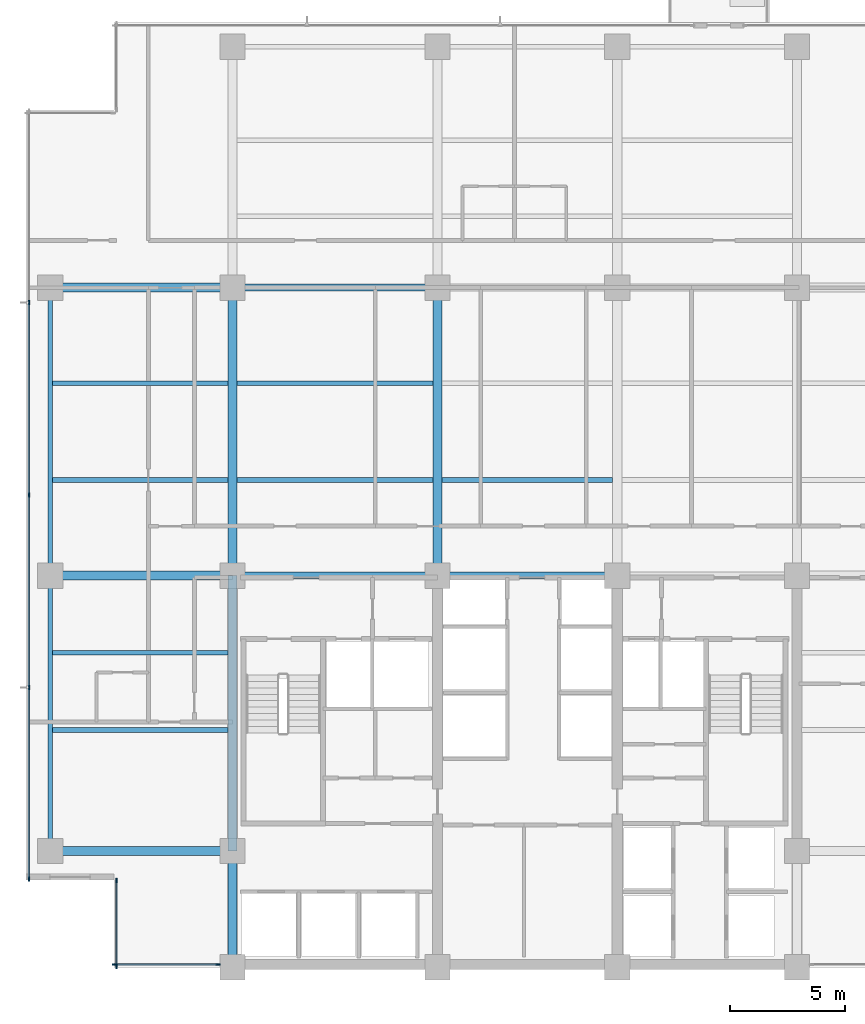
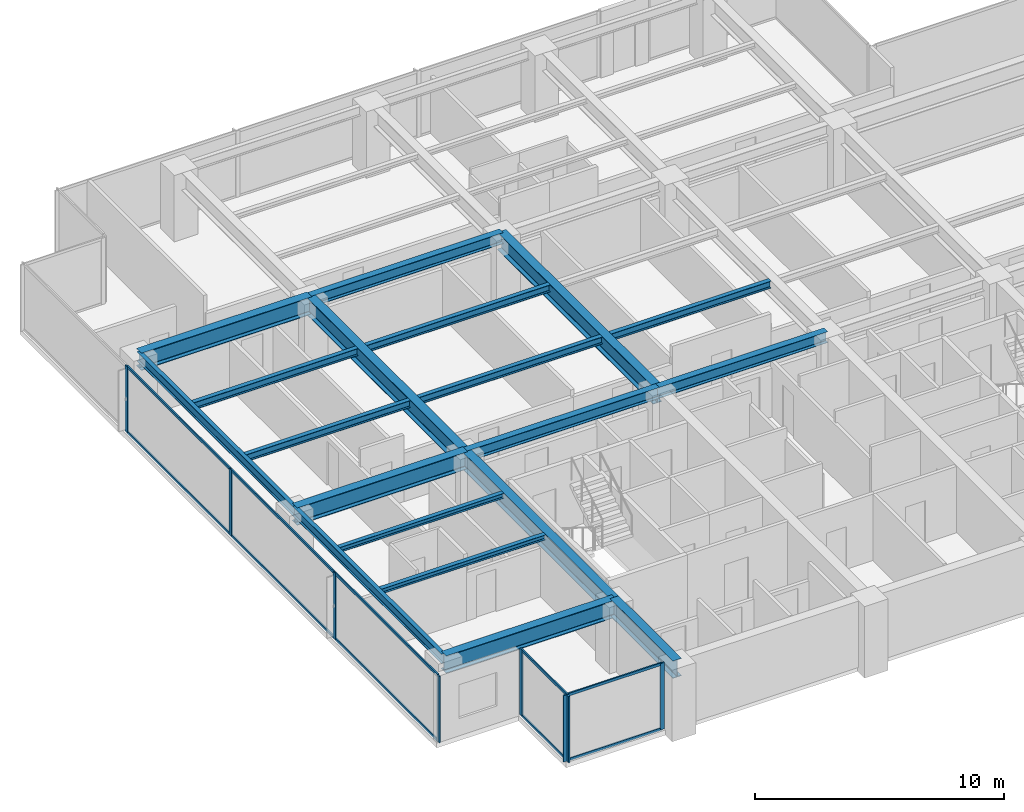
# One storey, part 2 of 15: 19 beams, 18 members, 3 elements without a shape of their own.
"""IFC4 building model written with IfcOpenShell, lengths in metres."""

from ifc_helpers import new_model, si_unit, direction, frame, origin, origin_2d, place, context, subcontext, project, spatial, rectangle, i_section, extrude, material, layer, layer_set, material_profile, profile_set, type_object, element, aggregate, save


model = new_model("IFC4")

# Units and contexts
model_context = context("Model", 3, precision=1e-05, world=origin(), true_north=direction((0.0, 1.0)))
body_context = subcontext(model_context, "Body", "Model", "MODEL_VIEW")
ifc_project = project(units=[si_unit("LENGTHUNIT", "METRE"), si_unit("AREAUNIT", "SQUARE_METRE"), si_unit("VOLUMEUNIT", "CUBIC_METRE"), si_unit("PLANEANGLEUNIT", "RADIAN"), si_unit("MASSUNIT", "GRAM", prefix="KILO")], contexts=[model_context])

# Site, building, storey
site_placement = place(None, origin())
site = spatial("IfcSite", under=ifc_project, at=site_placement, CompositionType="ELEMENT")
building_placement = place(site_placement, origin())
building = spatial("IfcBuilding", under=site, at=building_placement, Name="Qalmaran Belvedere Hotel", CompositionType="ELEMENT")
storey_placement = place(building_placement, frame((0.0, 0.0, 149.10009765625)))
storey = spatial("IfcBuildingStorey", under=building, at=storey_placement, Name="L37", CompositionType="ELEMENT", Elevation=149.10009765625)

# Beams
ifc_material_1 = material(Name="Steel S355JR", Category="steel")
ifc_material_profile_1 = material_profile(ifc_material_1, i_section(OverallWidth=0.201904296875, OverallDepth=0.2470703125, WebThickness=0.00732421875, FlangeThickness=0.010986328125, FilletRadius=0.011962890625, at=origin_2d()), Name="W250X49")
ifc_profile_set_1 = profile_set([ifc_material_profile_1], Name="Steel S355JR")
beam_type_1 = type_object("IfcBeamType", Name="BM-JST-W250X49", PredefinedType="JOIST", material=ifc_profile_set_1)
for number, where, z_axis, x_axis, name in (
    (1, (12.493896484375, 13.800048828125, 3.12646484375), (1.0, 0.0, 0.0), (0.0, 1.0, 0.0), "L37 West Wing Joist 038"),
    (2, (12.493896484375, 17.14990234375, 3.12646484375), (1.0, 0.0, 0.0), (0.0, 1.0, 0.0), "L37 West Wing Joist 040"),
):
    element("IfcBeam", number, at=place(storey_placement, frame(where, z_axis=z_axis, x_axis=x_axis)), inside=storey, type_object=beam_type_1, Name=name, PredefinedType="JOIST", context=body_context, shape_type="SweptSolid", body=[
        extrude(i_section(OverallWidth=0.201904296875, OverallDepth=0.2470703125, WebThickness=0.00732421875, FlangeThickness=0.010986328125, FilletRadius=0.011962890625, at=origin_2d()), origin(), (0.0, 0.0, 1.0), 7.608154296875),
    ])
ifc_material_profile_2 = material_profile(ifc_material_1, i_section(OverallWidth=0.39990234375, OverallDepth=0.85498046875, WebThickness=0.018310546875, FlangeThickness=0.029296875, FilletRadius=0.02392578125, at=origin_2d()), Name="W840X299")
ifc_profile_set_2 = profile_set([ifc_material_profile_2], Name="Steel S355JR")
beam_type_2 = type_object("IfcBeamType", Name="BM-PG3-W840X299", PredefinedType="USERDEFINED", material=ifc_profile_set_2)
for number, where, z_axis, x_axis, name in (
    (3, (20.300048828125, 20.5, 2.822509765625), (0.0, 1.0, 0.0), (-1.0, 0.0, 0.0), "L37 Mid-Plate N-S Girder 14"),
    (4, (29.199951171875, 20.5, 2.822509765625), (0.0, 1.0, 0.0), (-1.0, 0.0, 0.0), "L37 Mid-Plate N-S Girder 16"),
):
    element("IfcBeam", number, at=place(storey_placement, frame(where, z_axis=z_axis, x_axis=x_axis)), inside=storey, type_object=beam_type_2, Name=name, ObjectType="GIRDER", PredefinedType="USERDEFINED", context=body_context, shape_type="SweptSolid", body=[
        extrude(i_section(OverallWidth=0.39990234375, OverallDepth=0.85498046875, WebThickness=0.018310546875, FlangeThickness=0.029296875, FilletRadius=0.02392578125, at=origin_2d()), origin(), (0.0, 0.0, 1.0), 12.5),
    ])
for number, where, z_axis, x_axis, name in (
    (5, (12.39990234375, 8.550048828125, 2.822509765625), (1.0, 0.0, 0.0), (0.0, 1.0, 0.0), "L37 West Wing Girder 22"),
    (6, (12.39990234375, 20.5, 2.822509765625), (1.0, 0.0, 0.0), (0.0, 1.0, 0.0), "L37 West Wing Girder 23"),
    (7, (12.39990234375, 33.0, 2.822509765625), (1.0, 0.0, 0.0), (0.0, 1.0, 0.0), "L37 West Wing Girder 24"),
):
    element("IfcBeam", number, at=place(storey_placement, frame(where, z_axis=z_axis, x_axis=x_axis)), inside=storey, type_object=beam_type_2, Name=name, ObjectType="GIRDER", PredefinedType="USERDEFINED", context=body_context, shape_type="SweptSolid", body=[
        extrude(i_section(OverallWidth=0.39990234375, OverallDepth=0.85498046875, WebThickness=0.018310546875, FlangeThickness=0.029296875, FilletRadius=0.02392578125, at=origin_2d()), origin(), (0.0, 0.0, 1.0), 7.900146484375),
    ])
beam_1_placement = place(storey_placement, frame((20.300048828125, 3.5, 2.822509765625), z_axis=(0.0, 1.0, 0.0), x_axis=(-1.0, 0.0, 0.0)))
element("IfcBeam", 8, at=beam_1_placement, inside=storey, type_object=beam_type_2, Name="L37 West Core Edge Girder A", ObjectType="GIRDER", PredefinedType="USERDEFINED", context=body_context, shape_type="SweptSolid", body=[
    extrude(i_section(OverallWidth=0.39990234375, OverallDepth=0.85498046875, WebThickness=0.018310546875, FlangeThickness=0.029296875, FilletRadius=0.02392578125, at=origin_2d()), origin(), (0.0, 0.0, 1.0), 5.050048828125),
])
beam_2_placement = place(storey_placement, frame((20.300048828125, 8.550048828125, 2.822509765625), z_axis=(0.0, 1.0, 0.0), x_axis=(-1.0, 0.0, 0.0)))
element("IfcBeam", 9, at=beam_2_placement, inside=storey, type_object=beam_type_2, Name="L37 West Core Edge Girder B", ObjectType="GIRDER", PredefinedType="USERDEFINED", context=body_context, shape_type="SweptSolid", body=[
    extrude(i_section(OverallWidth=0.39990234375, OverallDepth=0.85498046875, WebThickness=0.018310546875, FlangeThickness=0.029296875, FilletRadius=0.02392578125, at=origin_2d()), origin(), (0.0, 0.0, 1.0), 11.949951171875),
])
ifc_material_profile_3 = material_profile(ifc_material_1, i_section(OverallWidth=0.205078125, OverallDepth=0.35400390625, WebThickness=0.009521484375, FlangeThickness=0.016845703125, FilletRadius=0.014892578125, at=origin_2d()), Name="W360X79")
ifc_profile_set_3 = profile_set([ifc_material_profile_3], Name="Steel S355JR")
beam_type_3 = type_object("IfcBeamType", Name="BM-SB3-W360X79", PredefinedType="BEAM", material=ifc_profile_set_3)
beam_3_placement = place(storey_placement, frame((12.493896484375, 24.64990234375, 3.072998046875), z_axis=(1.0, 0.0, 0.0), x_axis=(0.0, 1.0, 0.0)))
element("IfcBeam", 10, at=beam_3_placement, inside=storey, type_object=beam_type_3, Name="L37 West Secondary Beam 028", PredefinedType="BEAM", context=body_context, shape_type="SweptSolid", body=[
    extrude(i_section(OverallWidth=0.205078125, OverallDepth=0.35400390625, WebThickness=0.009521484375, FlangeThickness=0.016845703125, FilletRadius=0.014892578125, at=origin_2d()), origin(), (0.0, 0.0, 1.0), 7.608154296875),
])
beam_4_placement = place(storey_placement, frame((20.498046875, 24.64990234375, 3.072998046875), z_axis=(1.0, 0.0, 0.0), x_axis=(0.0, 1.0, 0.0)))
element("IfcBeam", 11, at=beam_4_placement, inside=storey, type_object=beam_type_3, Name="L37 Secondary Floor Beam 029", PredefinedType="BEAM", context=body_context, shape_type="SweptSolid", body=[
    extrude(i_section(OverallWidth=0.205078125, OverallDepth=0.35400390625, WebThickness=0.009521484375, FlangeThickness=0.016845703125, FilletRadius=0.014892578125, at=origin_2d()), origin(), (0.0, 0.0, 1.0), 8.50390625),
])
beam_5_placement = place(storey_placement, frame((29.39794921875, 24.64990234375, 3.072998046875), z_axis=(1.0, 0.0, 0.0), x_axis=(0.0, 1.0, 0.0)))
element("IfcBeam", 12, at=beam_5_placement, inside=storey, type_object=beam_type_3, Name="L37 Secondary Floor Beam 030", PredefinedType="BEAM", context=body_context, shape_type="SweptSolid", body=[
    extrude(i_section(OverallWidth=0.205078125, OverallDepth=0.35400390625, WebThickness=0.009521484375, FlangeThickness=0.016845703125, FilletRadius=0.014892578125, at=origin_2d()), origin(), (0.0, 0.0, 1.0), 7.404052734375),
])
beam_6_placement = place(storey_placement, frame((12.493896484375, 28.85009765625, 3.072998046875), z_axis=(1.0, 0.0, 0.0), x_axis=(0.0, 1.0, 0.0)))
element("IfcBeam", 13, at=beam_6_placement, inside=storey, type_object=beam_type_3, Name="L37 West Secondary Beam 033", PredefinedType="BEAM", context=body_context, shape_type="SweptSolid", body=[
    extrude(i_section(OverallWidth=0.205078125, OverallDepth=0.35400390625, WebThickness=0.009521484375, FlangeThickness=0.016845703125, FilletRadius=0.014892578125, at=origin_2d()), origin(), (0.0, 0.0, 1.0), 7.608154296875),
])
beam_7_placement = place(storey_placement, frame((20.498046875, 28.85009765625, 3.072998046875), z_axis=(1.0, 0.0, 0.0), x_axis=(0.0, 1.0, 0.0)))
element("IfcBeam", 14, at=beam_7_placement, inside=storey, type_object=beam_type_3, Name="L37 Secondary Floor Beam 034", PredefinedType="BEAM", context=body_context, shape_type="SweptSolid", body=[
    extrude(i_section(OverallWidth=0.205078125, OverallDepth=0.35400390625, WebThickness=0.009521484375, FlangeThickness=0.016845703125, FilletRadius=0.014892578125, at=origin_2d()), origin(), (0.0, 0.0, 1.0), 8.50390625),
])
ifc_material_profile_4 = material_profile(ifc_material_1, i_section(OverallWidth=0.19189453125, OverallDepth=0.462890625, WebThickness=0.010498046875, FlangeThickness=0.017578125, FilletRadius=0.01611328125, at=origin_2d()), Name="W460X89")
ifc_profile_set_4 = profile_set([ifc_material_profile_4], Name="Steel S355JR")
beam_type_4 = type_object("IfcBeamType", Name="BM-SP2-W460X89", PredefinedType="SPANDREL", material=ifc_profile_set_4)
beam_8_placement = place(storey_placement, frame((12.39990234375, 8.550048828125, 3.018310546875), z_axis=(0.0, 1.0, 0.0), x_axis=(-1.0, 0.0, 0.0)))
element("IfcBeam", 15, at=beam_8_placement, inside=storey, type_object=beam_type_4, Name="L37 Perimeter Spandrel 01", PredefinedType="SPANDREL", context=body_context, shape_type="SweptSolid", body=[
    extrude(i_section(OverallWidth=0.19189453125, OverallDepth=0.462890625, WebThickness=0.010498046875, FlangeThickness=0.017578125, FilletRadius=0.01611328125, at=origin_2d()), origin(), (0.0, 0.0, 1.0), 11.949951171875),
])
beam_9_placement = place(storey_placement, frame((12.39990234375, 20.5, 3.018310546875), z_axis=(0.0, 1.0, 0.0), x_axis=(-1.0, 0.0, 0.0)))
element("IfcBeam", 16, at=beam_9_placement, inside=storey, type_object=beam_type_4, Name="L37 Perimeter Spandrel 02", PredefinedType="SPANDREL", context=body_context, shape_type="SweptSolid", body=[
    extrude(i_section(OverallWidth=0.19189453125, OverallDepth=0.462890625, WebThickness=0.010498046875, FlangeThickness=0.017578125, FilletRadius=0.01611328125, at=origin_2d()), origin(), (0.0, 0.0, 1.0), 12.5),
])
ifc_material_profile_5 = material_profile(ifc_material_1, i_section(OverallWidth=0.31201171875, OverallDepth=0.54296875, WebThickness=0.0126953125, FlangeThickness=0.020263671875, FilletRadius=0.01806640625, at=origin_2d()), Name="W530X150")
ifc_profile_set_5 = profile_set([ifc_material_profile_5], Name="Steel S355JR")
beam_type_5 = type_object("IfcBeamType", Name="BM-Z3-W530X150", PredefinedType="USERDEFINED", material=ifc_profile_set_5)
beam_10_placement = place(storey_placement, frame((20.300048828125, 20.5, 2.978515625), z_axis=(1.0, 0.0, 0.0), x_axis=(0.0, 1.0, 0.0)))
element("IfcBeam", 17, at=beam_10_placement, inside=storey, type_object=beam_type_5, Name="L37 Interior E-W Girder 08", ObjectType="GIRDER", PredefinedType="USERDEFINED", context=body_context, shape_type="SweptSolid", body=[
    extrude(i_section(OverallWidth=0.31201171875, OverallDepth=0.54296875, WebThickness=0.0126953125, FlangeThickness=0.020263671875, FilletRadius=0.01806640625, at=origin_2d()), origin(), (0.0, 0.0, 1.0), 8.89990234375),
])
beam_11_placement = place(storey_placement, frame((29.199951171875, 20.5, 2.978515625), z_axis=(1.0, 0.0, 0.0), x_axis=(0.0, 1.0, 0.0)))
element("IfcBeam", 18, at=beam_11_placement, inside=storey, type_object=beam_type_5, Name="L37 Interior E-W Girder 09", ObjectType="GIRDER", PredefinedType="USERDEFINED", context=body_context, shape_type="SweptSolid", body=[
    extrude(i_section(OverallWidth=0.31201171875, OverallDepth=0.54296875, WebThickness=0.0126953125, FlangeThickness=0.020263671875, FilletRadius=0.01806640625, at=origin_2d()), origin(), (0.0, 0.0, 1.0), 7.800048828125),
])
beam_12_placement = place(storey_placement, frame((20.300048828125, 33.0, 2.978515625), z_axis=(1.0, 0.0, 0.0), x_axis=(0.0, 1.0, 0.0)))
element("IfcBeam", 19, at=beam_12_placement, inside=storey, type_object=beam_type_5, Name="L37 Interior E-W Girder 11", ObjectType="GIRDER", PredefinedType="USERDEFINED", context=body_context, shape_type="SweptSolid", body=[
    extrude(i_section(OverallWidth=0.31201171875, OverallDepth=0.54296875, WebThickness=0.0126953125, FlangeThickness=0.020263671875, FilletRadius=0.01806640625, at=origin_2d()), origin(), (0.0, 0.0, 1.0), 8.89990234375),
])

# Curtain wall, members
ifc_material_2 = material(Name="Anodised Bronze Aluminium", Category="aluminium")
ifc_layer = layer(ifc_material_2, 0.195068359375, Name="Anodised Bronze Aluminium")
ifc_layer_set = layer_set([ifc_layer], Name="Anodised Bronze Aluminium")
curtain_wall_type = type_object("IfcCurtainWallType", Name="CW4-TOWER-HIGHMID", PredefinedType="NOTDEFINED", material=ifc_layer_set)
curtain_wall_1_placement = place(storey_placement, origin())
curtain_wall_1 = element("IfcCurtainWall", 20, at=curtain_wall_1_placement, inside=storey, type_object=curtain_wall_type, Name="L37 Curtain Wall CW4", PredefinedType="NOTDEFINED")
ifc_material_profile_6 = material_profile(ifc_material_2, rectangle(XDim=0.070068359375, YDim=0.18994140625, at=origin_2d()), Name="CWM70X190")
ifc_profile_set_6 = profile_set([ifc_material_profile_6], Name="Anodised Bronze Aluminium")
member_type_1 = type_object("IfcMemberType", Name="CWM-70X190", PredefinedType="MULLION", material=ifc_profile_set_6)
member_1_placement = place(storey_placement, frame((15.18505859375, 3.6201171875, 0.0), z_axis=(0.0, 0.0, 1.0), x_axis=(0.0, 1.0, 0.0)))
member_1 = element("IfcMember", 21, at=member_1_placement, type_object=member_type_1, Name="CW4 mullion 1", PredefinedType="MULLION", context=body_context, shape_type="SweptSolid", body=[
    extrude(rectangle(XDim=0.070068359375, YDim=0.18994140625, at=origin_2d()), origin(), (0.0, 0.0, 1.0), 3.25),
])
member_2_placement = place(storey_placement, frame((19.675048828125, 3.6201171875, 0.0), z_axis=(0.0, 0.0, 1.0), x_axis=(0.0, 1.0, 0.0)))
member_2 = element("IfcMember", 22, at=member_2_placement, type_object=member_type_1, Name="CW4 mullion 2", PredefinedType="MULLION", context=body_context, shape_type="SweptSolid", body=[
    extrude(rectangle(XDim=0.070068359375, YDim=0.18994140625, at=origin_2d()), origin(), (0.0, 0.0, 1.0), 3.25),
])

curtain_wall_2_placement = place(storey_placement, origin())
curtain_wall_2 = element("IfcCurtainWall", 23, at=curtain_wall_2_placement, inside=storey, type_object=curtain_wall_type, Name="L37 Curtain Wall CW4", PredefinedType="NOTDEFINED")
member_3_placement = place(storey_placement, frame((11.469970703125, 32.35009765625, 0.0), z_axis=(0.0, 0.0, 1.0), x_axis=(1.0, 0.0, 0.0)))
member_3 = element("IfcMember", 24, at=member_3_placement, type_object=member_type_1, Name="CW4 mullion 2", PredefinedType="MULLION", context=body_context, shape_type="SweptSolid", body=[
    extrude(rectangle(XDim=0.070068359375, YDim=0.18994140625, at=origin_2d()), origin(), (0.0, 0.0, 1.0), 3.25),
])
member_4_placement = place(storey_placement, frame((11.469970703125, 24.0, 0.0), z_axis=(0.0, 0.0, 1.0), x_axis=(1.0, 0.0, 0.0)))
member_4 = element("IfcMember", 25, at=member_4_placement, type_object=member_type_1, Name="CW4 mullion 3", PredefinedType="MULLION", context=body_context, shape_type="SweptSolid", body=[
    extrude(rectangle(XDim=0.070068359375, YDim=0.18994140625, at=origin_2d()), origin(), (0.0, 0.0, 1.0), 3.25),
])
member_5_placement = place(storey_placement, frame((11.469970703125, 15.64990234375, 0.0), z_axis=(0.0, 0.0, 1.0), x_axis=(1.0, 0.0, 0.0)))
member_5 = element("IfcMember", 26, at=member_5_placement, type_object=member_type_1, Name="CW4 mullion 4", PredefinedType="MULLION", context=body_context, shape_type="SweptSolid", body=[
    extrude(rectangle(XDim=0.070068359375, YDim=0.18994140625, at=origin_2d()), origin(), (0.0, 0.0, 1.0), 3.25),
])
member_6_placement = place(storey_placement, frame((11.469970703125, 7.3349609375, 0.0), z_axis=(0.0, 0.0, 1.0), x_axis=(1.0, 0.0, 0.0)))
member_6 = element("IfcMember", 27, at=member_6_placement, type_object=member_type_1, Name="CW4 mullion 5", PredefinedType="MULLION", context=body_context, shape_type="SweptSolid", body=[
    extrude(rectangle(XDim=0.070068359375, YDim=0.18994140625, at=origin_2d()), origin(), (0.0, 0.0, 1.0), 3.25),
])

curtain_wall_3_placement = place(storey_placement, origin())
curtain_wall_3 = element("IfcCurtainWall", 28, at=curtain_wall_3_placement, inside=storey, type_object=curtain_wall_type, Name="L37 Curtain Wall CW4", PredefinedType="NOTDEFINED")
member_7_placement = place(storey_placement, frame((15.27001953125, 7.264892578125, 0.0), z_axis=(0.0, 0.0, 1.0), x_axis=(1.0, 0.0, 0.0)))
member_7 = element("IfcMember", 29, at=member_7_placement, type_object=member_type_1, Name="CW4 mullion 1", PredefinedType="MULLION", context=body_context, shape_type="SweptSolid", body=[
    extrude(rectangle(XDim=0.070068359375, YDim=0.18994140625, at=origin_2d()), origin(), (0.0, 0.0, 1.0), 3.25),
])
member_8_placement = place(storey_placement, frame((15.27001953125, 3.534912109375, 0.0), z_axis=(0.0, 0.0, 1.0), x_axis=(1.0, 0.0, 0.0)))
member_8 = element("IfcMember", 30, at=member_8_placement, type_object=member_type_1, Name="CW4 mullion 2", PredefinedType="MULLION", context=body_context, shape_type="SweptSolid", body=[
    extrude(rectangle(XDim=0.070068359375, YDim=0.18994140625, at=origin_2d()), origin(), (0.0, 0.0, 1.0), 3.25),
])

# Member
ifc_material_profile_7 = material_profile(ifc_material_2, rectangle(XDim=0.06494140625, YDim=0.1298828125, at=origin_2d()), Name="CWT65X130")
ifc_profile_set_7 = profile_set([ifc_material_profile_7], Name="Anodised Bronze Aluminium")
member_type_2 = type_object("IfcMemberType", Name="CWT-65X130", PredefinedType="USERDEFINED", material=ifc_profile_set_7)
member_9_placement = place(storey_placement, frame((15.219970703125, 3.6201171875, 0.032470703125), z_axis=(1.0, 0.0, 0.0), x_axis=(0.0, 1.0, 0.0)))
member_9 = element("IfcMember", 31, at=member_9_placement, type_object=member_type_2, Name="CW4 transom 1.1", ObjectType="TRANSOM", PredefinedType="USERDEFINED", context=body_context, shape_type="SweptSolid", body=[
    extrude(rectangle(XDim=0.06494140625, YDim=0.1298828125, at=origin_2d()), origin(), (0.0, 0.0, 1.0), 4.419921875),
])

member_10_placement = place(storey_placement, frame((15.219970703125, 3.6201171875, 3.21728515625), z_axis=(1.0, 0.0, 0.0), x_axis=(0.0, 1.0, 0.0)))
member_10 = element("IfcMember", 32, at=member_10_placement, type_object=member_type_2, Name="CW4 transom 1.2", ObjectType="TRANSOM", PredefinedType="USERDEFINED", context=body_context, shape_type="SweptSolid", body=[
    extrude(rectangle(XDim=0.06494140625, YDim=0.1298828125, at=origin_2d()), origin(), (0.0, 0.0, 1.0), 4.419921875),
])

aggregate(curtain_wall_1, [member_1, member_2, member_9, member_10])

member_11_placement = place(storey_placement, frame((11.469970703125, 32.31494140625, 0.032470703125), z_axis=(0.0, -1.0, 0.0), x_axis=(1.0, 0.0, 0.0)))
member_11 = element("IfcMember", 33, at=member_11_placement, type_object=member_type_2, Name="CW4 transom 2.1", ObjectType="TRANSOM", PredefinedType="USERDEFINED", context=body_context, shape_type="SweptSolid", body=[
    extrude(rectangle(XDim=0.06494140625, YDim=0.1298828125, at=origin_2d()), origin(), (0.0, 0.0, 1.0), 8.280029296875),
])

member_12_placement = place(storey_placement, frame((11.469970703125, 32.31494140625, 3.21728515625), z_axis=(0.0, -1.0, 0.0), x_axis=(1.0, 0.0, 0.0)))
member_12 = element("IfcMember", 34, at=member_12_placement, type_object=member_type_2, Name="CW4 transom 2.2", ObjectType="TRANSOM", PredefinedType="USERDEFINED", context=body_context, shape_type="SweptSolid", body=[
    extrude(rectangle(XDim=0.06494140625, YDim=0.1298828125, at=origin_2d()), origin(), (0.0, 0.0, 1.0), 8.280029296875),
])

member_13_placement = place(storey_placement, frame((11.469970703125, 23.965087890625, 0.032470703125), z_axis=(0.0, -1.0, 0.0), x_axis=(1.0, 0.0, 0.0)))
member_13 = element("IfcMember", 35, at=member_13_placement, type_object=member_type_2, Name="CW4 transom 3.1", ObjectType="TRANSOM", PredefinedType="USERDEFINED", context=body_context, shape_type="SweptSolid", body=[
    extrude(rectangle(XDim=0.06494140625, YDim=0.1298828125, at=origin_2d()), origin(), (0.0, 0.0, 1.0), 8.280029296875),
])

member_14_placement = place(storey_placement, frame((11.469970703125, 23.965087890625, 3.21728515625), z_axis=(0.0, -1.0, 0.0), x_axis=(1.0, 0.0, 0.0)))
member_14 = element("IfcMember", 36, at=member_14_placement, type_object=member_type_2, Name="CW4 transom 3.2", ObjectType="TRANSOM", PredefinedType="USERDEFINED", context=body_context, shape_type="SweptSolid", body=[
    extrude(rectangle(XDim=0.06494140625, YDim=0.1298828125, at=origin_2d()), origin(), (0.0, 0.0, 1.0), 8.280029296875),
])

member_15_placement = place(storey_placement, frame((11.469970703125, 15.614990234375, 0.032470703125), z_axis=(0.0, -1.0, 0.0), x_axis=(1.0, 0.0, 0.0)))
member_15 = element("IfcMember", 37, at=member_15_placement, type_object=member_type_2, Name="CW4 transom 4.1", ObjectType="TRANSOM", PredefinedType="USERDEFINED", context=body_context, shape_type="SweptSolid", body=[
    extrude(rectangle(XDim=0.06494140625, YDim=0.1298828125, at=origin_2d()), origin(), (0.0, 0.0, 1.0), 8.244873046875),
])

member_16_placement = place(storey_placement, frame((11.469970703125, 15.614990234375, 3.21728515625), z_axis=(0.0, -1.0, 0.0), x_axis=(1.0, 0.0, 0.0)))
member_16 = element("IfcMember", 38, at=member_16_placement, type_object=member_type_2, Name="CW4 transom 4.2", ObjectType="TRANSOM", PredefinedType="USERDEFINED", context=body_context, shape_type="SweptSolid", body=[
    extrude(rectangle(XDim=0.06494140625, YDim=0.1298828125, at=origin_2d()), origin(), (0.0, 0.0, 1.0), 8.244873046875),
])

aggregate(curtain_wall_2, [member_3, member_4, member_5, member_6, member_11, member_12, member_13, member_14, member_15, member_16])

member_17_placement = place(storey_placement, frame((15.27001953125, 7.22998046875, 0.032470703125), z_axis=(0.0, -1.0, 0.0), x_axis=(1.0, 0.0, 0.0)))
member_17 = element("IfcMember", 39, at=member_17_placement, type_object=member_type_2, Name="CW4 transom 1.1", ObjectType="TRANSOM", PredefinedType="USERDEFINED", context=body_context, shape_type="SweptSolid", body=[
    extrude(rectangle(XDim=0.06494140625, YDim=0.1298828125, at=origin_2d()), origin(), (0.0, 0.0, 1.0), 3.659912109375),
])

member_18_placement = place(storey_placement, frame((15.27001953125, 7.22998046875, 3.21728515625), z_axis=(0.0, -1.0, 0.0), x_axis=(1.0, 0.0, 0.0)))
member_18 = element("IfcMember", 40, at=member_18_placement, type_object=member_type_2, Name="CW4 transom 1.2", ObjectType="TRANSOM", PredefinedType="USERDEFINED", context=body_context, shape_type="SweptSolid", body=[
    extrude(rectangle(XDim=0.06494140625, YDim=0.1298828125, at=origin_2d()), origin(), (0.0, 0.0, 1.0), 3.659912109375),
])

aggregate(curtain_wall_3, [member_7, member_8, member_17, member_18])

save(model, "model.ifc")
